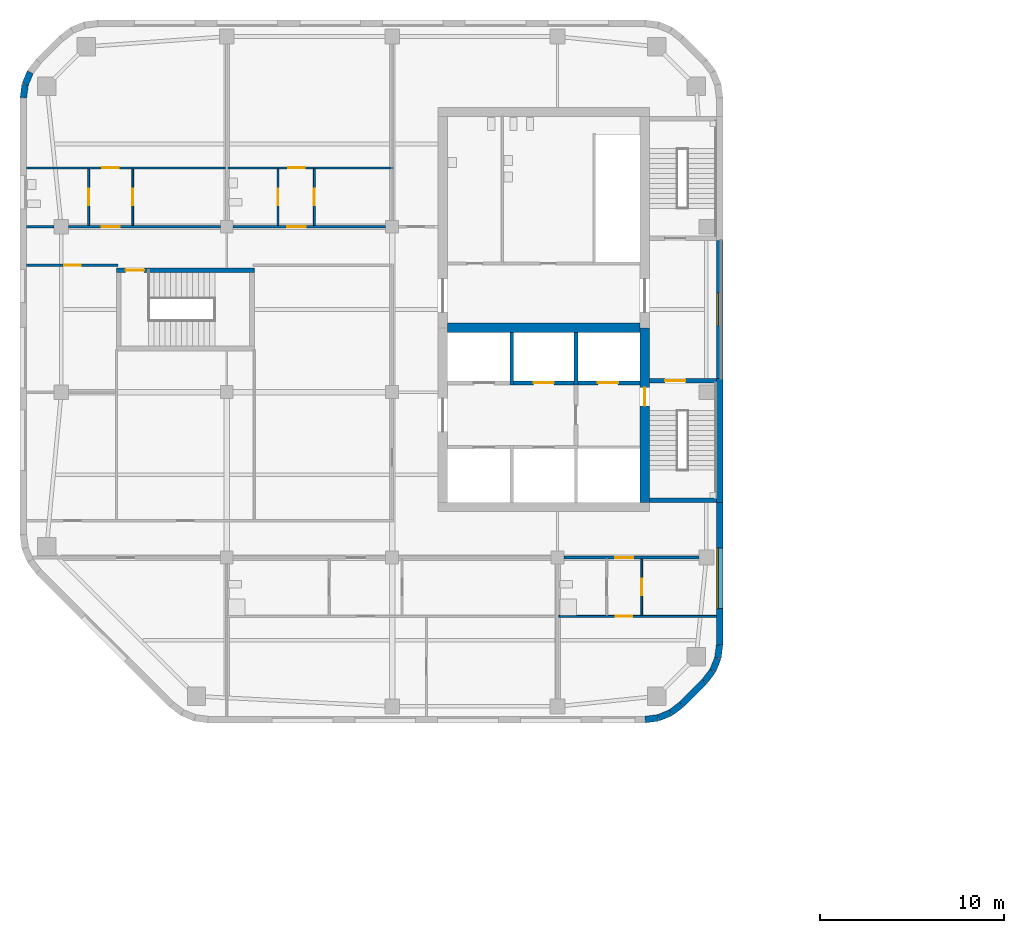
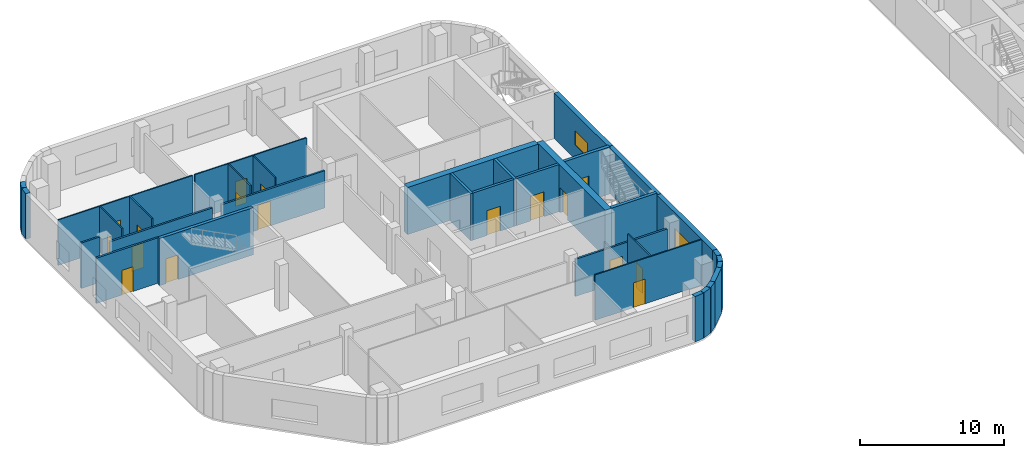
# One storey, part 6 of 15: 34 walls, 17 doors, 2 windows, 19 openings.
"""IFC4 building model written with IfcOpenShell, lengths in metres."""

from ifc_helpers import new_model, si_unit, direction, frame, frame_2d, origin, place, context, subcontext, project, spatial, rectangle, extrude, material, layer, layer_set, type_object, element, fill, save


model = new_model("IFC4")

# Units and contexts
model_context = context("Model", 3, precision=1e-05, world=origin(), true_north=direction((0.0, 1.0)))
body_context = subcontext(model_context, "Body", "Model", "MODEL_VIEW")
ifc_project = project(units=[si_unit("LENGTHUNIT", "METRE"), si_unit("AREAUNIT", "SQUARE_METRE"), si_unit("VOLUMEUNIT", "CUBIC_METRE"), si_unit("PLANEANGLEUNIT", "RADIAN"), si_unit("MASSUNIT", "GRAM", prefix="KILO")], contexts=[model_context])

# Site, building, storey
site_placement = place(None, origin())
site = spatial("IfcSite", under=ifc_project, at=site_placement, CompositionType="ELEMENT")
building_placement = place(site_placement, origin())
building = spatial("IfcBuilding", under=site, at=building_placement, Name="Cinnabar Reach Civic Tower", CompositionType="ELEMENT")
storey_placement = place(building_placement, frame((0.0, 0.0, 63.0)))
storey = spatial("IfcBuildingStorey", under=building, at=storey_placement, Name="L14", CompositionType="ELEMENT", Elevation=63.0)

# Walls
ifc_material_1 = material(Name="Facing brick with insulated backing", Category="masonry")
ifc_layer_1 = layer(ifc_material_1, 0.36)
ifc_layer_set_1 = layer_set([ifc_layer_1], Name="Brick corner wall")
wall_type_1 = type_object("IfcWallType", Name="Brick corner wall", PredefinedType="STANDARD", material=ifc_layer_set_1)
for number, where, z_axis, x_axis, name in (
    (1, (-31.2314, 9.183, 0.0), (0.0, 0.0, 1.0), (0.99144092581, 0.13055608231, 0.0), "Brick corner wall"),
    (2, (-30.5027, 9.2819, 0.0), (0.0, 0.0, 1.0), (0.923871547278, 0.382702709855, 0.0), "Brick corner wall"),
):
    element("IfcWall", number, at=place(storey_placement, frame(where, z_axis=z_axis, x_axis=x_axis)), inside=storey, type_object=wall_type_1, Name=name, PredefinedType="STANDARD", context=body_context, shape_type="SweptSolid", body=[
        extrude(rectangle(XDim=0.7131, YDim=0.36, at=frame_2d((0.3565, 0.0))), origin(), (0.0, 0.0, 1.0), 3.85),
    ])
for number, where, z_axis, x_axis, name in (
    (3, (-29.8245, 9.566, 0.0), (0.0, 0.0, 1.0), (0.793321924995, 0.608802368033, 0.0), "Brick corner wall"),
    (4, (-28.0002, 11.2587, 0.0), (0.0, 0.0, 1.0), (0.608802368033, 0.793321924995, 0.0), "Brick corner wall"),
):
    element("IfcWall", number, at=place(storey_placement, frame(where, z_axis=z_axis, x_axis=x_axis)), inside=storey, type_object=wall_type_1, Name=name, PredefinedType="STANDARD", context=body_context, shape_type="SweptSolid", body=[
        extrude(rectangle(XDim=0.7132, YDim=0.36, at=frame_2d((0.3566, 0.0))), origin(), (0.0, 0.0, 1.0), 3.85),
    ])
for number, where, z_axis, x_axis, name in (
    (5, (-27.5548, 11.8439, 0.0), (0.0, 0.0, 1.0), (0.382702709855, 0.923871547278, 0.0), "Brick corner wall"),
    (6, (-27.2761, 12.5244, 0.0), (0.0, 0.0, 1.0), (0.13055608231, 0.99144092581, 0.0), "Brick corner wall"),
    (7, (-64.6952, 44.4061, 0.0), (0.0, 0.0, 1.0), (-0.382702709855, -0.923871547278, 0.0), "Brick corner wall"),
    (8, (-64.9739, 43.7256, 0.0), (0.0, 0.0, 1.0), (-0.13055608231, -0.99144092581, 0.0), "Brick corner wall"),
):
    element("IfcWall", number, at=place(storey_placement, frame(where, z_axis=z_axis, x_axis=x_axis)), inside=storey, type_object=wall_type_1, Name=name, PredefinedType="STANDARD", context=body_context, shape_type="SweptSolid", body=[
        extrude(rectangle(XDim=0.7131, YDim=0.36, at=frame_2d((0.3565, 0.0))), origin(), (0.0, 0.0, 1.0), 3.85),
    ])
ifc_layer_2 = layer(ifc_material_1, 0.36)
ifc_layer_set_2 = layer_set([ifc_layer_2], Name="Brick pier and spandrel wall")
wall_type_2 = type_object("IfcWallType", Name="Brick pier and spandrel wall", PredefinedType="STANDARD", material=ifc_layer_set_2)
wall_1_placement = place(storey_placement, frame((-29.2486, 10.006, 0.0), z_axis=(0.0, 0.0, 1.0), x_axis=(0.707106781187, 0.707106781187, 0.0)))
element("IfcWall", 9, at=wall_1_placement, inside=storey, type_object=wall_type_2, Name="Brick facade wall", PredefinedType="STANDARD", context=body_context, shape_type="SweptSolid", body=[
    extrude(rectangle(XDim=1.7573, YDim=0.36, at=frame_2d((0.8787, 0.0))), origin(), (0.0, 0.0, 1.0), 3.85),
])

# Wall, opening, window
wall_2_placement = place(storey_placement, frame((-27.18, 13.2426, 0.0), z_axis=(0.0, 0.0, 1.0), x_axis=(0.0, 1.0, 0.0)))
wall_2 = element("IfcWall", 10, at=wall_2_placement, inside=storey, type_object=wall_type_2, Name="Brick facade wall", PredefinedType="STANDARD", context=body_context, shape_type="SweptSolid", body=[
    extrude(rectangle(XDim=7.7574, YDim=0.36, at=frame_2d((3.8787, 0.0))), origin(), (0.0, 0.0, 1.0), 3.85),
])
opening_1_placement = place(wall_2_placement, frame((1.9824, 0.0, 0.9)))
opening_1 = element("IfcOpeningElement", 11, at=opening_1_placement, cuts=wall_2, Name="Opening W2538", PredefinedType="OPENING", context=body_context, shape_type="SweptSolid", body=[
    extrude(rectangle(XDim=3.3, YDim=1.6, at=frame_2d((1.65, 0.8))), frame((0.0, 0.19, 0.0), z_axis=(0.0, -1.0, 0.0), x_axis=(1.0, 0.0, 0.0)), (0.0, 0.0, 1.0), 0.38),
])
ifc_material_2 = material(Name="Clear double glazing in aluminium frame", Category="aluminium")
window_type_1 = type_object("IfcWindowType", Name="Deep-set window A", PartitioningType="SINGLE_PANEL", PredefinedType="WINDOW", material=ifc_material_2)
window_1_placement = place(opening_1_placement, origin())
window_1 = element("IfcWindow", 12, at=window_1_placement, inside=storey, type_object=window_type_1, Name="Window east face", OverallHeight=1.6, OverallWidth=3.3, PartitioningType="SINGLE_PANEL", PredefinedType="WINDOW", context=body_context, shape_type="SweptSolid", body=[
    extrude(rectangle(XDim=3.3, YDim=1.6, at=frame_2d((1.65, 0.8))), frame((0.0, 0.13, 0.0), z_axis=(0.0, -1.0, 0.0), x_axis=(1.0, 0.0, 0.0)), (0.0, 0.0, 1.0), 0.06),
])
fill(opening_1, window_1)

# Wall
wall_3_placement = place(storey_placement, frame((-27.18, 21.0, 0.0), z_axis=(0.0, 0.0, 1.0), x_axis=(0.0, 1.0, 0.0)))
element("IfcWall", 13, at=wall_3_placement, inside=storey, type_object=wall_type_2, Name="Brick facade wall", PredefinedType="STANDARD", context=body_context, shape_type="SweptSolid", body=[
    extrude(rectangle(XDim=6.75, YDim=0.36, at=frame_2d((3.375, 0.0))), origin(), (0.0, 0.0, 1.0), 3.85),
])

# Wall, opening, window
wall_4_placement = place(storey_placement, frame((-27.18, 27.75, 0.0), z_axis=(0.0, 0.0, 1.0), x_axis=(0.0, 1.0, 0.0)))
wall_4 = element("IfcWall", 14, at=wall_4_placement, inside=storey, type_object=wall_type_2, Name="Brick facade wall", PredefinedType="STANDARD", context=body_context, shape_type="SweptSolid", body=[
    extrude(rectangle(XDim=7.5, YDim=0.36, at=frame_2d((3.75, 0.0))), origin(), (0.0, 0.0, 1.0), 3.85),
])
opening_2_placement = place(wall_4_placement, frame((2.85, 0.0, 1.2)))
opening_2 = element("IfcOpeningElement", 15, at=opening_2_placement, cuts=wall_4, Name="Opening W2539", PredefinedType="OPENING", context=body_context, shape_type="SweptSolid", body=[
    extrude(rectangle(XDim=1.8, YDim=1.2, at=frame_2d((0.9, 0.6))), frame((0.0, 0.19, 0.0), z_axis=(0.0, -1.0, 0.0), x_axis=(1.0, 0.0, 0.0)), (0.0, 0.0, 1.0), 0.38),
])
window_type_2 = type_object("IfcWindowType", Name="Deep-set window C", PartitioningType="SINGLE_PANEL", PredefinedType="WINDOW", material=ifc_material_2)
window_2_placement = place(opening_2_placement, origin())
window_2 = element("IfcWindow", 16, at=window_2_placement, inside=storey, type_object=window_type_2, Name="Window east face", OverallHeight=1.2, OverallWidth=1.8, PartitioningType="SINGLE_PANEL", PredefinedType="WINDOW", context=body_context, shape_type="SweptSolid", body=[
    extrude(rectangle(XDim=1.8, YDim=1.2, at=frame_2d((0.9, 0.6))), frame((0.0, 0.13, 0.0), z_axis=(0.0, -1.0, 0.0), x_axis=(1.0, 0.0, 0.0)), (0.0, 0.0, 1.0), 0.06),
])
fill(opening_2, window_2)

# Wall, opening, door
ifc_material_3 = material(Name="Concrete C60", Category="concrete")
ifc_layer_3 = layer(ifc_material_3, 0.5)
ifc_layer_set_3 = layer_set([ifc_layer_3], Name="Core wall 500 EI 180")
wall_type_3 = type_object("IfcWallType", Name="Core wall 500 EI 180", PredefinedType="SOLIDWALL", material=ifc_layer_set_3)
wall_5_placement = place(storey_placement, frame((-31.25, 21.0, 0.0), z_axis=(0.0, 0.0, 1.0), x_axis=(0.0, 1.0, 0.0)))
wall_5 = element("IfcWall", 17, at=wall_5_placement, inside=storey, type_object=wall_type_3, Name="Core wall T2 L14 E", PredefinedType="SOLIDWALL", context=body_context, shape_type="SweptSolid", body=[
    extrude(rectangle(XDim=9.5, YDim=0.5, at=frame_2d((4.75, 0.0))), origin(), (0.0, 0.0, 1.0), 4.0),
])
opening_3_placement = place(wall_5_placement, frame((5.25, 0.0, 0.0)))
opening_3 = element("IfcOpeningElement", 18, at=opening_3_placement, cuts=wall_5, Name="Opening D6528", PredefinedType="OPENING", context=body_context, shape_type="SweptSolid", body=[
    extrude(rectangle(XDim=1.0, YDim=2.1, at=frame_2d((0.5, 1.05))), frame((0.0, 0.26, 0.0), z_axis=(0.0, -1.0, 0.0), x_axis=(1.0, 0.0, 0.0)), (0.0, 0.0, 1.0), 0.52),
])
ifc_material_4 = material(Name="Steel fire door", Category="steel")
door_type_1 = type_object("IfcDoorType", Name="T2 Firefighting lobby door 1000", OperationType="SINGLE_SWING_LEFT", PredefinedType="DOOR", material=ifc_material_4)
door_1_placement = place(opening_3_placement, frame((1.0, 0.0, 0.0), z_axis=(0.0, 0.0, 1.0), x_axis=(-1.0, 0.0, 0.0)))
door_1 = element("IfcDoor", 19, at=door_1_placement, inside=storey, type_object=door_type_1, Name="T2 Firefighting lobby door D6528", OperationType="SINGLE_SWING_LEFT", OverallHeight=2.1, OverallWidth=1.0, PredefinedType="DOOR", context=body_context, shape_type="SweptSolid", body=[
    extrude(rectangle(XDim=1.0, YDim=2.1, at=frame_2d((0.5, 1.05))), frame((0.0, 0.025, 0.0), z_axis=(0.0, -1.0, 0.0), x_axis=(1.0, 0.0, 0.0)), (0.0, 0.0, 1.0), 0.05),
])
fill(opening_3, door_1)

# Wall
wall_6_placement = place(storey_placement, frame((-42.0, 30.5, 0.0), z_axis=(0.0, 0.0, 1.0), x_axis=(1.0, 0.0, 0.0)))
element("IfcWall", 20, at=wall_6_placement, inside=storey, type_object=wall_type_3, Name="Core spine wall T2 L14", PredefinedType="SOLIDWALL", context=body_context, shape_type="SweptSolid", body=[
    extrude(rectangle(XDim=10.5, YDim=0.5, at=frame_2d((5.25, 0.0))), origin(), (0.0, 0.0, 1.0), 4.0),
])

# Wall, opening, door
ifc_material_5 = material(Name="Gypsum board on steel studs, double layer", Category="steel")
ifc_layer_4 = layer(ifc_material_5, 0.15)
ifc_layer_set_4 = layer_set([ifc_layer_4], Name="Corridor wall 150 T2")
wall_type_4 = type_object("IfcWallType", Name="Corridor wall 150 T2", PredefinedType="PARTITIONING", material=ifc_layer_set_4)
wall_7_placement = place(storey_placement, frame((-35.65, 18.0, 0.0), z_axis=(0.0, 0.0, 1.0), x_axis=(1.0, 0.0, 0.0)))
wall_7 = element("IfcWall", 21, at=wall_7_placement, inside=storey, type_object=wall_type_4, Name="Corridor wall 1", PredefinedType="PARTITIONING", context=body_context, shape_type="SweptSolid", body=[
    extrude(rectangle(XDim=7.35, YDim=0.15, at=frame_2d((3.675, 0.0))), origin(), (0.0, 0.0, 1.0), 3.158),
])
opening_4_placement = place(wall_7_placement, frame((2.7784, 0.0, 0.0)))
opening_4 = element("IfcOpeningElement", 22, at=opening_4_placement, cuts=wall_7, Name="Opening D6546", PredefinedType="OPENING", context=body_context, shape_type="SweptSolid", body=[
    extrude(rectangle(XDim=1.0, YDim=2.1, at=frame_2d((0.5, 1.05))), frame((0.0, 0.085, 0.0), z_axis=(0.0, -1.0, 0.0), x_axis=(1.0, 0.0, 0.0)), (0.0, 0.0, 1.0), 0.17),
])
ifc_material_6 = material(Name="Timber door leaf in steel frame", Category="steel")
door_type_2 = type_object("IfcDoorType", Name="Tenancy entrance door 1000 x 2100 T2", OperationType="SINGLE_SWING_LEFT", PredefinedType="DOOR", material=ifc_material_6)
door_2_placement = place(opening_4_placement, frame((1.0, 0.0, 0.0), z_axis=(0.0, 0.0, 1.0), x_axis=(-1.0, 0.0, 0.0)))
door_2 = element("IfcDoor", 23, at=door_2_placement, inside=storey, type_object=door_type_2, Name="Door D6546", OperationType="SINGLE_SWING_LEFT", OverallHeight=2.1, OverallWidth=1.0, PredefinedType="DOOR", context=body_context, shape_type="SweptSolid", body=[
    extrude(rectangle(XDim=1.0, YDim=2.1, at=frame_2d((0.5, 1.05))), frame((0.0, 0.025, 0.0), z_axis=(0.0, -1.0, 0.0), x_axis=(1.0, 0.0, 0.0)), (0.0, 0.0, 1.0), 0.05),
])
fill(opening_4, door_2)

wall_8_placement = place(storey_placement, frame((-53.65, 36.0, 0.0), z_axis=(0.0, 0.0, 1.0), x_axis=(1.0, 0.0, 0.0)))
wall_8 = element("IfcWall", 24, at=wall_8_placement, inside=storey, type_object=wall_type_4, Name="Corridor wall 6", PredefinedType="PARTITIONING", context=body_context, shape_type="SweptSolid", body=[
    extrude(rectangle(XDim=8.3, YDim=0.15, at=frame_2d((4.15, 0.0))), origin(), (0.0, 0.0, 1.0), 3.158),
])
opening_5_placement = place(wall_8_placement, frame((2.94, 0.0, 0.0)))
opening_5 = element("IfcOpeningElement", 25, at=opening_5_placement, cuts=wall_8, Name="Opening D6554", PredefinedType="OPENING", context=body_context, shape_type="SweptSolid", body=[
    extrude(rectangle(XDim=1.0, YDim=2.1, at=frame_2d((0.5, 1.05))), frame((0.0, 0.085, 0.0), z_axis=(0.0, -1.0, 0.0), x_axis=(1.0, 0.0, 0.0)), (0.0, 0.0, 1.0), 0.17),
])
door_3_placement = place(opening_5_placement, origin())
door_3 = element("IfcDoor", 26, at=door_3_placement, inside=storey, type_object=door_type_2, Name="Door D6554", OperationType="SINGLE_SWING_RIGHT", OverallHeight=2.1, OverallWidth=1.0, PredefinedType="DOOR", context=body_context, shape_type="SweptSolid", body=[
    extrude(rectangle(XDim=1.0, YDim=2.1, at=frame_2d((0.5, 1.05))), frame((0.0, 0.025, 0.0), z_axis=(0.0, -1.0, 0.0), x_axis=(1.0, 0.0, 0.0)), (0.0, 0.0, 1.0), 0.05),
])
fill(opening_5, door_3)

wall_9_placement = place(storey_placement, frame((-62.6, 36.0, 0.0), z_axis=(0.0, 0.0, 1.0), x_axis=(1.0, 0.0, 0.0)))
wall_9 = element("IfcWall", 27, at=wall_9_placement, inside=storey, type_object=wall_type_4, Name="Corridor wall 7", PredefinedType="PARTITIONING", context=body_context, shape_type="SweptSolid", body=[
    extrude(rectangle(XDim=8.25, YDim=0.15, at=frame_2d((4.125, 0.0))), origin(), (0.0, 0.0, 1.0), 3.158),
])
opening_6_placement = place(wall_9_placement, frame((1.7859, 0.0, 0.0)))
opening_6 = element("IfcOpeningElement", 28, at=opening_6_placement, cuts=wall_9, Name="Opening D6550", PredefinedType="OPENING", context=body_context, shape_type="SweptSolid", body=[
    extrude(rectangle(XDim=1.0, YDim=2.1, at=frame_2d((0.5, 1.05))), frame((0.0, 0.085, 0.0), z_axis=(0.0, -1.0, 0.0), x_axis=(1.0, 0.0, 0.0)), (0.0, 0.0, 1.0), 0.17),
])
door_4_placement = place(opening_6_placement, origin())
door_4 = element("IfcDoor", 29, at=door_4_placement, inside=storey, type_object=door_type_2, Name="Door D6550", OperationType="SINGLE_SWING_RIGHT", OverallHeight=2.1, OverallWidth=1.0, PredefinedType="DOOR", context=body_context, shape_type="SweptSolid", body=[
    extrude(rectangle(XDim=1.0, YDim=2.1, at=frame_2d((0.5, 1.05))), frame((0.0, 0.025, 0.0), z_axis=(0.0, -1.0, 0.0), x_axis=(1.0, 0.0, 0.0)), (0.0, 0.0, 1.0), 0.05),
])
fill(opening_6, door_4)

# Wall
wall_10_placement = place(storey_placement, frame((-64.89, 36.0, 0.0), z_axis=(0.0, 0.0, 1.0), x_axis=(1.0, 0.0, 0.0)))
element("IfcWall", 30, at=wall_10_placement, inside=storey, type_object=wall_type_4, Name="Corridor wall 8", PredefinedType="PARTITIONING", context=body_context, shape_type="SweptSolid", body=[
    extrude(rectangle(XDim=1.49, YDim=0.15, at=frame_2d((0.745, 0.0))), origin(), (0.0, 0.0, 1.0), 3.85),
])

# Wall, opening, door
wall_11_placement = place(storey_placement, frame((-64.89, 33.9, 0.0), z_axis=(0.0, 0.0, 1.0), x_axis=(1.0, 0.0, 0.0)))
wall_11 = element("IfcWall", 31, at=wall_11_placement, inside=storey, type_object=wall_type_4, Name="Corridor wall 13", PredefinedType="PARTITIONING", context=body_context, shape_type="SweptSolid", body=[
    extrude(rectangle(XDim=4.965, YDim=0.15, at=frame_2d((2.4825, 0.0))), origin(), (0.0, 0.0, 1.0), 3.85),
])
opening_7_placement = place(wall_11_placement, frame((2.05, 0.0, 0.0)))
opening_7 = element("IfcOpeningElement", 32, at=opening_7_placement, cuts=wall_11, Name="Opening D6556", PredefinedType="OPENING", context=body_context, shape_type="SweptSolid", body=[
    extrude(rectangle(XDim=0.9, YDim=2.1, at=frame_2d((0.45, 1.05))), frame((0.0, 0.085, 0.0), z_axis=(0.0, -1.0, 0.0), x_axis=(1.0, 0.0, 0.0)), (0.0, 0.0, 1.0), 0.17),
])
door_type_3 = type_object("IfcDoorType", Name="Single swing door 900 x 2100 T2", OperationType="SINGLE_SWING_LEFT", PredefinedType="DOOR", material=ifc_material_6)
door_5_placement = place(opening_7_placement, frame((0.9, 0.0, 0.0), z_axis=(0.0, 0.0, 1.0), x_axis=(-1.0, 0.0, 0.0)))
door_5 = element("IfcDoor", 33, at=door_5_placement, inside=storey, type_object=door_type_3, Name="Door D6556", OperationType="SINGLE_SWING_LEFT", OverallHeight=2.1, OverallWidth=0.9, PredefinedType="DOOR", context=body_context, shape_type="SweptSolid", body=[
    extrude(rectangle(XDim=0.9, YDim=2.1, at=frame_2d((0.45, 1.05))), frame((0.0, 0.025, 0.0), z_axis=(0.0, -1.0, 0.0), x_axis=(1.0, 0.0, 0.0)), (0.0, 0.0, 1.0), 0.05),
])
fill(opening_7, door_5)

ifc_material_7 = material(Name="Gypsum board on steel studs", Category="steel")
ifc_layer_5 = layer(ifc_material_7, 0.1)
ifc_layer_set_5 = layer_set([ifc_layer_5], Name="Partition wall 100 T2")
wall_type_5 = type_object("IfcWallType", Name="Partition wall 100 T2", PredefinedType="PARTITIONING", material=ifc_layer_set_5)
wall_12_placement = place(storey_placement, frame((-35.925, 14.8, 0.0), z_axis=(0.0, 0.0, 1.0), x_axis=(1.0, 0.0, 0.0)))
wall_12 = element("IfcWall", 34, at=wall_12_placement, inside=storey, type_object=wall_type_5, Name="Partition wall 17", PredefinedType="PARTITIONING", context=body_context, shape_type="SweptSolid", body=[
    extrude(rectangle(XDim=8.565, YDim=0.1, at=frame_2d((4.2825, 0.0))), origin(), (0.0, 0.0, 1.0), 3.85),
])
opening_8_placement = place(wall_12_placement, frame((3.1034, 0.0, 0.0)))
opening_8 = element("IfcOpeningElement", 35, at=opening_8_placement, cuts=wall_12, Name="Opening D6545", PredefinedType="OPENING", context=body_context, shape_type="SweptSolid", body=[
    extrude(rectangle(XDim=0.9, YDim=2.1, at=frame_2d((0.45, 1.05))), frame((0.0, 0.06, 0.0), z_axis=(0.0, -1.0, 0.0), x_axis=(1.0, 0.0, 0.0)), (0.0, 0.0, 1.0), 0.12),
])
door_6_placement = place(opening_8_placement, origin())
door_6 = element("IfcDoor", 36, at=door_6_placement, inside=storey, type_object=door_type_3, Name="Door D6545", OperationType="SINGLE_SWING_LEFT", OverallHeight=2.1, OverallWidth=0.9, PredefinedType="DOOR", context=body_context, shape_type="SweptSolid", body=[
    extrude(rectangle(XDim=0.9, YDim=2.1, at=frame_2d((0.45, 1.05))), frame((0.0, 0.025, 0.0), z_axis=(0.0, -1.0, 0.0), x_axis=(1.0, 0.0, 0.0)), (0.0, 0.0, 1.0), 0.05),
])
fill(opening_8, door_6)

wall_13_placement = place(storey_placement, frame((-53.925, 39.2, 0.0), z_axis=(0.0, 0.0, 1.0), x_axis=(1.0, 0.0, 0.0)))
wall_13 = element("IfcWall", 37, at=wall_13_placement, inside=storey, type_object=wall_type_5, Name="Partition wall 18", PredefinedType="PARTITIONING", context=body_context, shape_type="SweptSolid", body=[
    extrude(rectangle(XDim=8.975, YDim=0.1, at=frame_2d((4.4875, 0.0))), origin(), (0.0, 0.0, 1.0), 3.85),
])
opening_9_placement = place(wall_13_placement, frame((3.265, 0.0, 0.0)))
opening_9 = element("IfcOpeningElement", 38, at=opening_9_placement, cuts=wall_13, Name="Opening D6553", PredefinedType="OPENING", context=body_context, shape_type="SweptSolid", body=[
    extrude(rectangle(XDim=0.9, YDim=2.1, at=frame_2d((0.45, 1.05))), frame((0.0, 0.06, 0.0), z_axis=(0.0, -1.0, 0.0), x_axis=(1.0, 0.0, 0.0)), (0.0, 0.0, 1.0), 0.12),
])
door_7_placement = place(opening_9_placement, frame((0.9, 0.0, 0.0), z_axis=(0.0, 0.0, 1.0), x_axis=(-1.0, 0.0, 0.0)))
door_7 = element("IfcDoor", 39, at=door_7_placement, inside=storey, type_object=door_type_3, Name="Door D6553", OperationType="SINGLE_SWING_LEFT", OverallHeight=2.1, OverallWidth=0.9, PredefinedType="DOOR", context=body_context, shape_type="SweptSolid", body=[
    extrude(rectangle(XDim=0.9, YDim=2.1, at=frame_2d((0.45, 1.05))), frame((0.0, 0.025, 0.0), z_axis=(0.0, -1.0, 0.0), x_axis=(1.0, 0.0, 0.0)), (0.0, 0.0, 1.0), 0.05),
])
fill(opening_9, door_7)

wall_14_placement = place(storey_placement, frame((-64.89, 39.2, 0.0), z_axis=(0.0, 0.0, 1.0), x_axis=(1.0, 0.0, 0.0)))
wall_14 = element("IfcWall", 40, at=wall_14_placement, inside=storey, type_object=wall_type_5, Name="Partition wall 19", PredefinedType="PARTITIONING", context=body_context, shape_type="SweptSolid", body=[
    extrude(rectangle(XDim=10.815, YDim=0.1, at=frame_2d((5.4075, 0.0))), origin(), (0.0, 0.0, 1.0), 3.85),
])
opening_10_placement = place(wall_14_placement, frame((4.1259, 0.0, 0.0)))
opening_10 = element("IfcOpeningElement", 41, at=opening_10_placement, cuts=wall_14, Name="Opening D6549", PredefinedType="OPENING", context=body_context, shape_type="SweptSolid", body=[
    extrude(rectangle(XDim=0.9, YDim=2.1, at=frame_2d((0.45, 1.05))), frame((0.0, 0.06, 0.0), z_axis=(0.0, -1.0, 0.0), x_axis=(1.0, 0.0, 0.0)), (0.0, 0.0, 1.0), 0.12),
])
door_8_placement = place(opening_10_placement, frame((0.9, 0.0, 0.0), z_axis=(0.0, 0.0, 1.0), x_axis=(-1.0, 0.0, 0.0)))
door_8 = element("IfcDoor", 42, at=door_8_placement, inside=storey, type_object=door_type_3, Name="Door D6549", OperationType="SINGLE_SWING_LEFT", OverallHeight=2.1, OverallWidth=0.9, PredefinedType="DOOR", context=body_context, shape_type="SweptSolid", body=[
    extrude(rectangle(XDim=0.9, YDim=2.1, at=frame_2d((0.45, 1.05))), frame((0.0, 0.025, 0.0), z_axis=(0.0, -1.0, 0.0), x_axis=(1.0, 0.0, 0.0)), (0.0, 0.0, 1.0), 0.05),
])
fill(opening_10, door_8)

wall_15_placement = place(storey_placement, frame((-61.5141, 36.075, 0.0), z_axis=(0.0, 0.0, 1.0), x_axis=(0.0, 1.0, 0.0)))
wall_15 = element("IfcWall", 43, at=wall_15_placement, inside=storey, type_object=wall_type_5, Name="Partition wall 29", PredefinedType="PARTITIONING", context=body_context, shape_type="SweptSolid", body=[
    extrude(rectangle(XDim=3.075, YDim=0.1, at=frame_2d((1.5375, 0.0))), origin(), (0.0, 0.0, 1.0), 3.85),
])
opening_11_placement = place(wall_15_placement, frame((1.1, 0.0, 0.0)))
opening_11 = element("IfcOpeningElement", 44, at=opening_11_placement, cuts=wall_15, Name="Opening D6547", PredefinedType="OPENING", context=body_context, shape_type="SweptSolid", body=[
    extrude(rectangle(XDim=0.9, YDim=2.1, at=frame_2d((0.45, 1.05))), frame((0.0, 0.06, 0.0), z_axis=(0.0, -1.0, 0.0), x_axis=(1.0, 0.0, 0.0)), (0.0, 0.0, 1.0), 0.12),
])
door_9_placement = place(opening_11_placement, origin())
door_9 = element("IfcDoor", 45, at=door_9_placement, inside=storey, type_object=door_type_3, Name="Door D6547", OperationType="SINGLE_SWING_RIGHT", OverallHeight=2.1, OverallWidth=0.9, PredefinedType="DOOR", context=body_context, shape_type="SweptSolid", body=[
    extrude(rectangle(XDim=0.9, YDim=2.1, at=frame_2d((0.45, 1.05))), frame((0.0, 0.025, 0.0), z_axis=(0.0, -1.0, 0.0), x_axis=(1.0, 0.0, 0.0)), (0.0, 0.0, 1.0), 0.05),
])
fill(opening_11, door_9)

wall_16_placement = place(storey_placement, frame((-59.1183, 36.075, 0.0), z_axis=(0.0, 0.0, 1.0), x_axis=(0.0, 1.0, 0.0)))
wall_16 = element("IfcWall", 46, at=wall_16_placement, inside=storey, type_object=wall_type_5, Name="Partition wall 30", PredefinedType="PARTITIONING", context=body_context, shape_type="SweptSolid", body=[
    extrude(rectangle(XDim=3.075, YDim=0.1, at=frame_2d((1.5375, 0.0))), origin(), (0.0, 0.0, 1.0), 3.85),
])
opening_12_placement = place(wall_16_placement, frame((1.1, 0.0, 0.0)))
opening_12 = element("IfcOpeningElement", 47, at=opening_12_placement, cuts=wall_16, Name="Opening D6548", PredefinedType="OPENING", context=body_context, shape_type="SweptSolid", body=[
    extrude(rectangle(XDim=0.9, YDim=2.1, at=frame_2d((0.45, 1.05))), frame((0.0, 0.06, 0.0), z_axis=(0.0, -1.0, 0.0), x_axis=(1.0, 0.0, 0.0)), (0.0, 0.0, 1.0), 0.12),
])
door_10_placement = place(opening_12_placement, origin())
door_10 = element("IfcDoor", 48, at=door_10_placement, inside=storey, type_object=door_type_3, Name="Door D6548", OperationType="SINGLE_SWING_RIGHT", OverallHeight=2.1, OverallWidth=0.9, PredefinedType="DOOR", context=body_context, shape_type="SweptSolid", body=[
    extrude(rectangle(XDim=0.9, YDim=2.1, at=frame_2d((0.45, 1.05))), frame((0.0, 0.025, 0.0), z_axis=(0.0, -1.0, 0.0), x_axis=(1.0, 0.0, 0.0)), (0.0, 0.0, 1.0), 0.05),
])
fill(opening_12, door_10)

wall_17_placement = place(storey_placement, frame((-51.21, 36.075, 0.0), z_axis=(0.0, 0.0, 1.0), x_axis=(0.0, 1.0, 0.0)))
wall_17 = element("IfcWall", 49, at=wall_17_placement, inside=storey, type_object=wall_type_5, Name="Partition wall 31", PredefinedType="PARTITIONING", context=body_context, shape_type="SweptSolid", body=[
    extrude(rectangle(XDim=3.075, YDim=0.1, at=frame_2d((1.5375, 0.0))), origin(), (0.0, 0.0, 1.0), 3.85),
])
opening_13_placement = place(wall_17_placement, frame((1.1, 0.0, 0.0)))
opening_13 = element("IfcOpeningElement", 50, at=opening_13_placement, cuts=wall_17, Name="Opening D6551", PredefinedType="OPENING", context=body_context, shape_type="SweptSolid", body=[
    extrude(rectangle(XDim=0.9, YDim=2.1, at=frame_2d((0.45, 1.05))), frame((0.0, 0.06, 0.0), z_axis=(0.0, -1.0, 0.0), x_axis=(1.0, 0.0, 0.0)), (0.0, 0.0, 1.0), 0.12),
])
door_11_placement = place(opening_13_placement, origin())
door_11 = element("IfcDoor", 51, at=door_11_placement, inside=storey, type_object=door_type_3, Name="Door D6551", OperationType="SINGLE_SWING_LEFT", OverallHeight=2.1, OverallWidth=0.9, PredefinedType="DOOR", context=body_context, shape_type="SweptSolid", body=[
    extrude(rectangle(XDim=0.9, YDim=2.1, at=frame_2d((0.45, 1.05))), frame((0.0, 0.025, 0.0), z_axis=(0.0, -1.0, 0.0), x_axis=(1.0, 0.0, 0.0)), (0.0, 0.0, 1.0), 0.05),
])
fill(opening_13, door_11)

wall_18_placement = place(storey_placement, frame((-49.23, 36.075, 0.0), z_axis=(0.0, 0.0, 1.0), x_axis=(0.0, 1.0, 0.0)))
wall_18 = element("IfcWall", 52, at=wall_18_placement, inside=storey, type_object=wall_type_5, Name="Partition wall 32", PredefinedType="PARTITIONING", context=body_context, shape_type="SweptSolid", body=[
    extrude(rectangle(XDim=3.075, YDim=0.1, at=frame_2d((1.5375, 0.0))), origin(), (0.0, 0.0, 1.0), 3.85),
])
opening_14_placement = place(wall_18_placement, frame((1.1, 0.0, 0.0)))
opening_14 = element("IfcOpeningElement", 53, at=opening_14_placement, cuts=wall_18, Name="Opening D6552", PredefinedType="OPENING", context=body_context, shape_type="SweptSolid", body=[
    extrude(rectangle(XDim=0.9, YDim=2.1, at=frame_2d((0.45, 1.05))), frame((0.0, 0.06, 0.0), z_axis=(0.0, -1.0, 0.0), x_axis=(1.0, 0.0, 0.0)), (0.0, 0.0, 1.0), 0.12),
])
door_12_placement = place(opening_14_placement, origin())
door_12 = element("IfcDoor", 54, at=door_12_placement, inside=storey, type_object=door_type_3, Name="Door D6552", OperationType="SINGLE_SWING_LEFT", OverallHeight=2.1, OverallWidth=0.9, PredefinedType="DOOR", context=body_context, shape_type="SweptSolid", body=[
    extrude(rectangle(XDim=0.9, YDim=2.1, at=frame_2d((0.45, 1.05))), frame((0.0, 0.025, 0.0), z_axis=(0.0, -1.0, 0.0), x_axis=(1.0, 0.0, 0.0)), (0.0, 0.0, 1.0), 0.05),
])
fill(opening_14, door_12)

wall_19_placement = place(storey_placement, frame((-31.4208, 14.85, 0.0), z_axis=(0.0, 0.0, 1.0), x_axis=(0.0, 1.0, 0.0)))
wall_19 = element("IfcWall", 55, at=wall_19_placement, inside=storey, type_object=wall_type_5, Name="Partition wall 36", PredefinedType="PARTITIONING", context=body_context, shape_type="SweptSolid", body=[
    extrude(rectangle(XDim=3.075, YDim=0.1, at=frame_2d((1.5375, 0.0))), origin(), (0.0, 0.0, 1.0), 3.85),
])
opening_15_placement = place(wall_19_placement, frame((1.1, 0.0, 0.0)))
opening_15 = element("IfcOpeningElement", 56, at=opening_15_placement, cuts=wall_19, Name="Opening D6544", PredefinedType="OPENING", context=body_context, shape_type="SweptSolid", body=[
    extrude(rectangle(XDim=0.9, YDim=2.1, at=frame_2d((0.45, 1.05))), frame((0.0, 0.06, 0.0), z_axis=(0.0, -1.0, 0.0), x_axis=(1.0, 0.0, 0.0)), (0.0, 0.0, 1.0), 0.12),
])
door_13_placement = place(opening_15_placement, origin())
door_13 = element("IfcDoor", 57, at=door_13_placement, inside=storey, type_object=door_type_3, Name="Door D6544", OperationType="SINGLE_SWING_LEFT", OverallHeight=2.1, OverallWidth=0.9, PredefinedType="DOOR", context=body_context, shape_type="SweptSolid", body=[
    extrude(rectangle(XDim=0.9, YDim=2.1, at=frame_2d((0.45, 1.05))), frame((0.0, 0.025, 0.0), z_axis=(0.0, -1.0, 0.0), x_axis=(1.0, 0.0, 0.0)), (0.0, 0.0, 1.0), 0.05),
])
fill(opening_15, door_13)

# Wall
ifc_layer_6 = layer(ifc_material_3, 0.25)
ifc_layer_set_6 = layer_set([ifc_layer_6], Name="Stair shaft wall 250 EI 120")
wall_type_6 = type_object("IfcWallType", Name="Stair shaft wall 250 EI 120", PredefinedType="SOLIDWALL", material=ifc_layer_set_6)
wall_20_placement = place(storey_placement, frame((-31.0, 21.125, 0.0), z_axis=(0.0, 0.0, 1.0), x_axis=(1.0, 0.0, 0.0)))
element("IfcWall", 58, at=wall_20_placement, inside=storey, type_object=wall_type_6, Name="Stair shaft wall T2-S1 L14", PredefinedType="SOLIDWALL", context=body_context, shape_type="SweptSolid", body=[
    extrude(rectangle(XDim=3.64, YDim=0.25, at=frame_2d((1.82, 0.0))), origin(), (0.0, 0.0, 1.0), 4.0),
])

# Wall, opening, door
wall_21_placement = place(storey_placement, frame((-27.36, 27.625, 0.0), z_axis=(0.0, 0.0, 1.0), x_axis=(-1.0, 0.0, 0.0)))
wall_21 = element("IfcWall", 59, at=wall_21_placement, inside=storey, type_object=wall_type_6, Name="Stair shaft wall T2-S1 L14", PredefinedType="SOLIDWALL", context=body_context, shape_type="SweptSolid", body=[
    extrude(rectangle(XDim=3.64, YDim=0.25, at=frame_2d((1.82, 0.0))), origin(), (0.0, 0.0, 1.0), 4.0),
])
opening_16_placement = place(wall_21_placement, frame((1.69, 0.0, 0.0)))
opening_16 = element("IfcOpeningElement", 60, at=opening_16_placement, cuts=wall_21, Name="Opening D6529", PredefinedType="OPENING", context=body_context, shape_type="SweptSolid", body=[
    extrude(rectangle(XDim=1.1, YDim=2.1, at=frame_2d((0.55, 1.05))), frame((0.0, 0.135, 0.0), z_axis=(0.0, -1.0, 0.0), x_axis=(1.0, 0.0, 0.0)), (0.0, 0.0, 1.0), 0.27),
])
door_type_4 = type_object("IfcDoorType", Name="T2 Stair door 1100", OperationType="SINGLE_SWING_LEFT", PredefinedType="DOOR", material=ifc_material_4)
door_14_placement = place(opening_16_placement, origin())
door_14 = element("IfcDoor", 61, at=door_14_placement, inside=storey, type_object=door_type_4, Name="T2 Stair door D6529", OperationType="SINGLE_SWING_RIGHT", OverallHeight=2.1, OverallWidth=1.1, PredefinedType="DOOR", context=body_context, shape_type="SweptSolid", body=[
    extrude(rectangle(XDim=1.1, YDim=2.1, at=frame_2d((0.55, 1.05))), frame((0.0, 0.025, 0.0), z_axis=(0.0, -1.0, 0.0), x_axis=(1.0, 0.0, 0.0)), (0.0, 0.0, 1.0), 0.05),
])
fill(opening_16, door_14)

wall_22_placement = place(storey_placement, frame((-52.5, 33.625, 0.0), z_axis=(0.0, 0.0, 1.0), x_axis=(-1.0, 0.0, 0.0)))
wall_22 = element("IfcWall", 62, at=wall_22_placement, inside=storey, type_object=wall_type_6, Name="Stair shaft wall T2-S3 L14", PredefinedType="SOLIDWALL", context=body_context, shape_type="SweptSolid", body=[
    extrude(rectangle(XDim=7.5, YDim=0.25, at=frame_2d((3.75, 0.0))), origin(), (0.0, 0.0, 1.0), 4.0),
])
opening_17_placement = place(wall_22_placement, frame((6.0, 0.0, 0.0)))
opening_17 = element("IfcOpeningElement", 63, at=opening_17_placement, cuts=wall_22, Name="Opening D6559", PredefinedType="OPENING", context=body_context, shape_type="SweptSolid", body=[
    extrude(rectangle(XDim=1.0, YDim=2.1, at=frame_2d((0.5, 1.05))), frame((0.0, 0.135, 0.0), z_axis=(0.0, -1.0, 0.0), x_axis=(1.0, 0.0, 0.0)), (0.0, 0.0, 1.0), 0.27),
])
door_type_5 = type_object("IfcDoorType", Name="Stair door 1000 x 2100 T2", OperationType="SINGLE_SWING_LEFT", PredefinedType="DOOR", material=ifc_material_6)
door_15_placement = place(opening_17_placement, origin())
door_15 = element("IfcDoor", 64, at=door_15_placement, inside=storey, type_object=door_type_5, Name="Door D6559", OperationType="SINGLE_SWING_RIGHT", OverallHeight=2.1, OverallWidth=1.0, PredefinedType="DOOR", context=body_context, shape_type="SweptSolid", body=[
    extrude(rectangle(XDim=1.0, YDim=2.1, at=frame_2d((0.5, 1.05))), frame((0.0, 0.025, 0.0), z_axis=(0.0, -1.0, 0.0), x_axis=(1.0, 0.0, 0.0)), (0.0, 0.0, 1.0), 0.05),
])
fill(opening_17, door_15)

# Walls
ifc_material_8 = material(Name="Concrete C40", Category="concrete")
ifc_layer_7 = layer(ifc_material_8, 0.2)
ifc_layer_set_7 = layer_set([ifc_layer_7], Name="T2 Shaft wall 200")
wall_type_7 = type_object("IfcWallType", Name="T2 Shaft wall 200", PredefinedType="SOLIDWALL", material=ifc_layer_set_7)
for number, where, z_axis, x_axis, name in (
    (65, (-38.5, 27.4, 0.0), (0.0, 0.0, 1.0), (0.0, 1.0, 0.0), "T2 Shaft wall L14 004"),
    (66, (-35.0, 27.4, 0.0), (0.0, 0.0, 1.0), (0.0, 1.0, 0.0), "T2 Shaft wall L14 006"),
):
    element("IfcWall", number, at=place(storey_placement, frame(where, z_axis=z_axis, x_axis=x_axis)), inside=storey, type_object=wall_type_7, Name=name, PredefinedType="SOLIDWALL", context=body_context, shape_type="SweptSolid", body=[
        extrude(rectangle(XDim=2.85, YDim=0.2, at=frame_2d((1.425, 0.0))), origin(), (0.0, 0.0, 1.0), 4.0),
    ])

# Wall, opening, door
wall_23_placement = place(storey_placement, frame((-38.4, 27.5, 0.0), z_axis=(0.0, 0.0, 1.0), x_axis=(1.0, 0.0, 0.0)))
wall_23 = element("IfcWall", 67, at=wall_23_placement, inside=storey, type_object=wall_type_7, Name="T2 Shaft wall L14 007", PredefinedType="SOLIDWALL", context=body_context, shape_type="SweptSolid", body=[
    extrude(rectangle(XDim=3.3, YDim=0.2, at=frame_2d((1.65, 0.0))), origin(), (0.0, 0.0, 1.0), 4.0),
])
opening_18_placement = place(wall_23_placement, frame((1.1, 0.0, 0.0)))
opening_18 = element("IfcOpeningElement", 68, at=opening_18_placement, cuts=wall_23, Name="Opening D6525", PredefinedType="OPENING", context=body_context, shape_type="SweptSolid", body=[
    extrude(rectangle(XDim=1.1, YDim=2.1, at=frame_2d((0.55, 1.05))), frame((0.0, 0.11, 0.0), z_axis=(0.0, -1.0, 0.0), x_axis=(1.0, 0.0, 0.0)), (0.0, 0.0, 1.0), 0.22),
])
door_type_6 = type_object("IfcDoorType", Name="T2 Lift landing door 1100", OperationType="SLIDING_TO_LEFT", PredefinedType="DOOR", material=ifc_material_4)
door_16_placement = place(opening_18_placement, origin())
door_16 = element("IfcDoor", 69, at=door_16_placement, inside=storey, type_object=door_type_6, Name="T2 Lift landing door D6525", OperationType="SLIDING_TO_LEFT", OverallHeight=2.1, OverallWidth=1.1, PredefinedType="DOOR", context=body_context, shape_type="SweptSolid", body=[
    extrude(rectangle(XDim=1.1, YDim=2.1, at=frame_2d((0.55, 1.05))), frame((0.0, 0.025, 0.0), z_axis=(0.0, -1.0, 0.0), x_axis=(1.0, 0.0, 0.0)), (0.0, 0.0, 1.0), 0.05),
])
fill(opening_18, door_16)

wall_24_placement = place(storey_placement, frame((-34.9, 27.5, 0.0), z_axis=(0.0, 0.0, 1.0), x_axis=(1.0, 0.0, 0.0)))
wall_24 = element("IfcWall", 70, at=wall_24_placement, inside=storey, type_object=wall_type_7, Name="T2 Shaft wall L14 008", PredefinedType="SOLIDWALL", context=body_context, shape_type="SweptSolid", body=[
    extrude(rectangle(XDim=3.4, YDim=0.2, at=frame_2d((1.7, 0.0))), origin(), (0.0, 0.0, 1.0), 4.0),
])
opening_19_placement = place(wall_24_placement, frame((1.1, 0.0, 0.0)))
opening_19 = element("IfcOpeningElement", 71, at=opening_19_placement, cuts=wall_24, Name="Opening D6526", PredefinedType="OPENING", context=body_context, shape_type="SweptSolid", body=[
    extrude(rectangle(XDim=1.1, YDim=2.1, at=frame_2d((0.55, 1.05))), frame((0.0, 0.11, 0.0), z_axis=(0.0, -1.0, 0.0), x_axis=(1.0, 0.0, 0.0)), (0.0, 0.0, 1.0), 0.22),
])
door_type_7 = type_object("IfcDoorType", Name="T2 Firefighting lift landing door 1100", OperationType="SLIDING_TO_LEFT", PredefinedType="DOOR", material=ifc_material_4)
door_17_placement = place(opening_19_placement, origin())
door_17 = element("IfcDoor", 72, at=door_17_placement, inside=storey, type_object=door_type_7, Name="T2 Firefighting lift landing door D6526", OperationType="SLIDING_TO_LEFT", OverallHeight=2.1, OverallWidth=1.1, PredefinedType="DOOR", context=body_context, shape_type="SweptSolid", body=[
    extrude(rectangle(XDim=1.1, YDim=2.1, at=frame_2d((0.55, 1.05))), frame((0.0, 0.025, 0.0), z_axis=(0.0, -1.0, 0.0), x_axis=(1.0, 0.0, 0.0)), (0.0, 0.0, 1.0), 0.05),
])
fill(opening_19, door_17)

save(model, "model.ifc")
